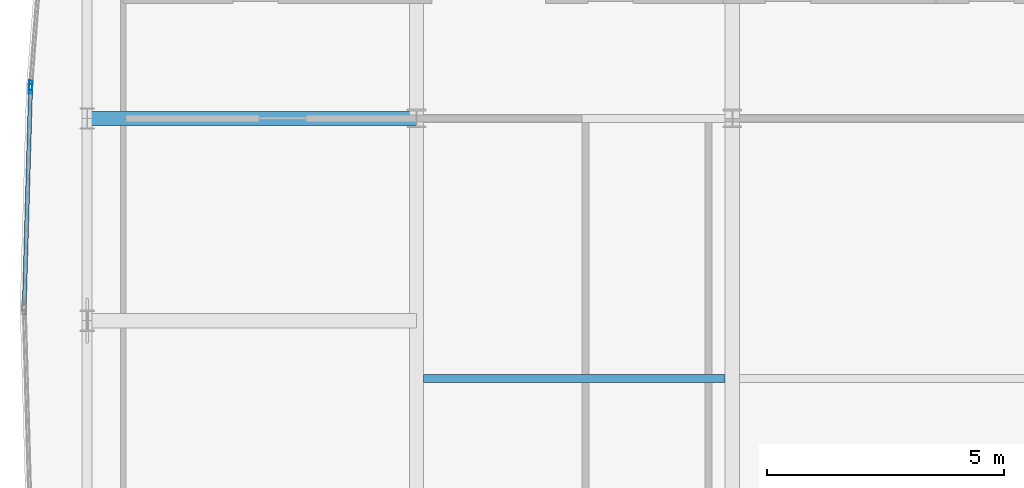
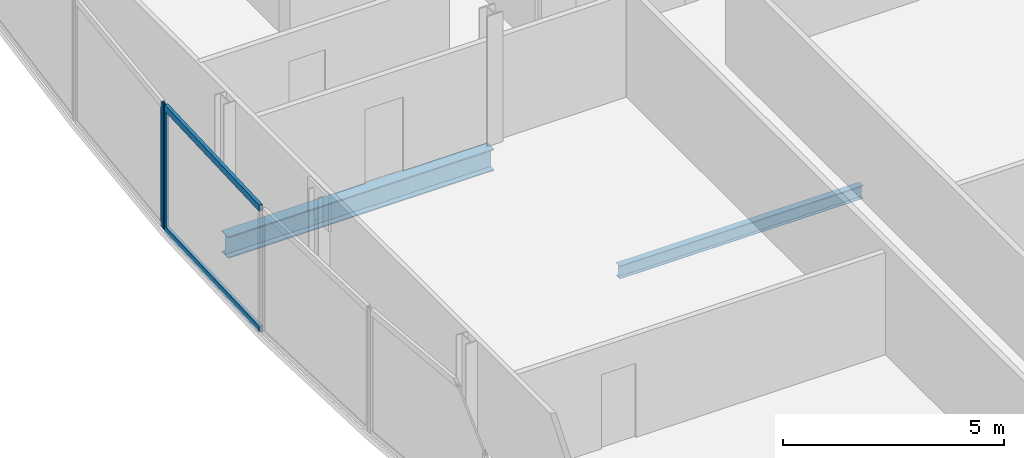
# One storey, part 10 of 27: 4 members, 2 beams, 2 elements without a shape of their own.
"""IFC4 building model written with IfcOpenShell, lengths in metres."""

from ifc_helpers import new_model, si_unit, direction, frame, origin, origin_2d, place, context, subcontext, project, spatial, hollow_rectangle, i_section, extrude, material, material_profile, profile_set, type_object, element, aggregate, save


model = new_model("IFC4")

# Units and contexts
model_context = context("Model", 3, precision=1e-05, world=origin(), true_north=direction((0.0, 1.0)))
body_context = subcontext(model_context, "Body", "Model", "MODEL_VIEW")
ifc_project = project(units=[si_unit("LENGTHUNIT", "METRE"), si_unit("AREAUNIT", "SQUARE_METRE"), si_unit("VOLUMEUNIT", "CUBIC_METRE"), si_unit("PLANEANGLEUNIT", "RADIAN"), si_unit("MASSUNIT", "GRAM", prefix="KILO")], contexts=[model_context])

# Site, building, storey
site_placement = place(None, origin())
site = spatial("IfcSite", under=ifc_project, at=site_placement, CompositionType="ELEMENT")
building_placement = place(site_placement, origin())
building = spatial("IfcBuilding", under=site, at=building_placement, Name="Khoronbel Lancet Exchange", CompositionType="ELEMENT")
storey_placement = place(building_placement, frame((0.0, 0.0, 343.39990234375)))
storey = spatial("IfcBuildingStorey", under=building, at=storey_placement, Name="L89", CompositionType="ELEMENT", Elevation=343.39990234375)

# Beams
ifc_material_1 = material(Name="Steel S355", Category="steel")
ifc_material_profile_1 = material_profile(ifc_material_1, i_section(OverallWidth=0.300048828125, OverallDepth=0.60009765625, WebThickness=0.015380859375, FlangeThickness=0.030029296875, at=origin_2d()), Name="HEB 600")
ifc_profile_set_1 = profile_set([ifc_material_profile_1], Name="Steel S355")
beam_type_1 = type_object("IfcBeamType", Name="BM-BG5", PredefinedType="BEAM", material=ifc_profile_set_1)
beam_1_placement = place(storey_placement, frame((11.27001953125, 35.699951171875, -0.4599609375), z_axis=(1.0, 0.0, 0.0), x_axis=(0.0, 1.0, 0.0)))
element("IfcBeam", 1, at=beam_1_placement, inside=storey, type_object=beam_type_1, Name="Level L89 west lens tie girder LG4W", PredefinedType="BEAM", context=body_context, shape_type="SweptSolid", body=[
    extrude(i_section(OverallWidth=0.300048828125, OverallDepth=0.60009765625, WebThickness=0.015380859375, FlangeThickness=0.030029296875, at=origin_2d()), origin(), (0.0, 0.0, 1.0), 6.955078125),
])
ifc_material_profile_2 = material_profile(ifc_material_1, i_section(OverallWidth=0.169921875, OverallDepth=0.360107421875, WebThickness=0.008056640625, FlangeThickness=0.0126953125, at=origin_2d()), Name="IPE 360")
ifc_profile_set_2 = profile_set([ifc_material_profile_2], Name="Steel S355")
beam_type_2 = type_object("IfcBeamType", Name="BM-BJ6", PredefinedType="JOIST", material=ifc_profile_set_2)
beam_2_placement = place(storey_placement, frame((18.375, 30.199951171875, -0.33984375), z_axis=(1.0, 0.0, 0.0), x_axis=(0.0, 1.0, 0.0)))
element("IfcBeam", 2, at=beam_2_placement, inside=storey, type_object=beam_type_2, Name="Level L89 secondary composite joist J07", PredefinedType="JOIST", context=body_context, shape_type="SweptSolid", body=[
    extrude(i_section(OverallWidth=0.169921875, OverallDepth=0.360107421875, WebThickness=0.008056640625, FlangeThickness=0.0126953125, at=origin_2d()), origin(), (0.0, 0.0, 1.0), 6.375),
])

# Curtain wall, member
ifc_material_2 = material(Name="Low-E Solar Control Insulating Glass", Category="glass")
curtain_wall_type = type_object("IfcCurtainWallType", Name="CW-4", PredefinedType="NOTDEFINED", material=ifc_material_2)
curtain_wall_1_placement = place(storey_placement, origin())
curtain_wall_1 = element("IfcCurtainWall", 3, at=curtain_wall_1_placement, inside=storey, type_object=curtain_wall_type, Name="Unitised curtain wall CW-L89-E07", PredefinedType="NOTDEFINED")
ifc_material_3 = material(Name="Bronze-Anodised Aluminium 6063-T6", Category="aluminium")
ifc_material_profile_3 = material_profile(ifc_material_3, hollow_rectangle(XDim=0.074951171875, YDim=0.199951171875, WallThickness=0.0048828125, at=origin_2d()), Name="ALU MULLION 75x200")
ifc_profile_set_3 = profile_set([ifc_material_profile_3], Name="Bronze-Anodised Aluminium 6063-T6")
member_type_1 = type_object("IfcMemberType", Name="MEM-CWM2", PredefinedType="MULLION", material=ifc_profile_set_3)
member_1_placement = place(storey_placement, frame((10.07275390625, 36.324462890625, 0.0), z_axis=(0.0, 0.0, 1.0), x_axis=(-0.9995877728, 0.028710354746, 0.0)))
member_1 = element("IfcMember", 4, at=member_1_placement, type_object=member_type_1, Name="CW4 mullion 2", PredefinedType="MULLION", context=body_context, shape_type="SweptSolid", body=[
    extrude(hollow_rectangle(XDim=0.074951171875, YDim=0.199951171875, WallThickness=0.0048828125, at=origin_2d()), origin(), (0.0, 0.0, 1.0), 3.440185546875),
])

curtain_wall_2_placement = place(storey_placement, origin())
curtain_wall_2 = element("IfcCurtainWall", 5, at=curtain_wall_2_placement, inside=storey, type_object=curtain_wall_type, Name="Unitised curtain wall CW-L89-E08", PredefinedType="NOTDEFINED")
member_2_placement = place(storey_placement, frame((10.076904296875, 36.399169921875, 0.0), z_axis=(0.0, 0.0, 1.0), x_axis=(-0.996938933306, 0.078184162452, 0.0)))
member_2 = element("IfcMember", 6, at=member_2_placement, type_object=member_type_1, Name="CW4 mullion 1", PredefinedType="MULLION", context=body_context, shape_type="SweptSolid", body=[
    extrude(hollow_rectangle(XDim=0.074951171875, YDim=0.199951171875, WallThickness=0.0048828125, at=origin_2d()), origin(), (0.0, 0.0, 1.0), 3.440185546875),
])
aggregate(curtain_wall_2, [member_2])

# Member
ifc_material_profile_4 = material_profile(ifc_material_3, hollow_rectangle(XDim=0.0849609375, YDim=0.179931640625, WallThickness=0.0048828125, at=origin_2d()), Name="ALU TRANSOM 85x180")
ifc_profile_set_4 = profile_set([ifc_material_profile_4], Name="Bronze-Anodised Aluminium 6063-T6")
member_type_2 = type_object("IfcMemberType", Name="MEM-CWT1", PredefinedType="USERDEFINED", material=ifc_profile_set_4)
member_3_placement = place(storey_placement, frame((9.942138671875, 31.77490234375, 0.04248046875), z_axis=(0.028720359004, 0.999587485405, 0.0), x_axis=(-0.999587485405, 0.028720359004, 0.0)))
member_3 = element("IfcMember", 7, at=member_3_placement, type_object=member_type_2, Name="CW4 transom 1.1", ObjectType="TRANSOM", PredefinedType="USERDEFINED", context=body_context, shape_type="SweptSolid", body=[
    extrude(hollow_rectangle(XDim=0.0849609375, YDim=0.179931640625, WallThickness=0.0048828125, at=origin_2d()), origin(), (0.0, 0.0, 1.0), 4.513916015625),
])

member_4_placement = place(storey_placement, frame((9.942138671875, 31.77490234375, 3.397705078125), z_axis=(0.028720359004, 0.999587485405, 0.0), x_axis=(-0.999587485405, 0.028720359004, 0.0)))
member_4 = element("IfcMember", 8, at=member_4_placement, type_object=member_type_2, Name="CW4 transom 1.2", ObjectType="TRANSOM", PredefinedType="USERDEFINED", context=body_context, shape_type="SweptSolid", body=[
    extrude(hollow_rectangle(XDim=0.0849609375, YDim=0.179931640625, WallThickness=0.0048828125, at=origin_2d()), origin(), (0.0, 0.0, 1.0), 4.513916015625),
])

aggregate(curtain_wall_1, [member_1, member_3, member_4])

save(model, "model.ifc")
